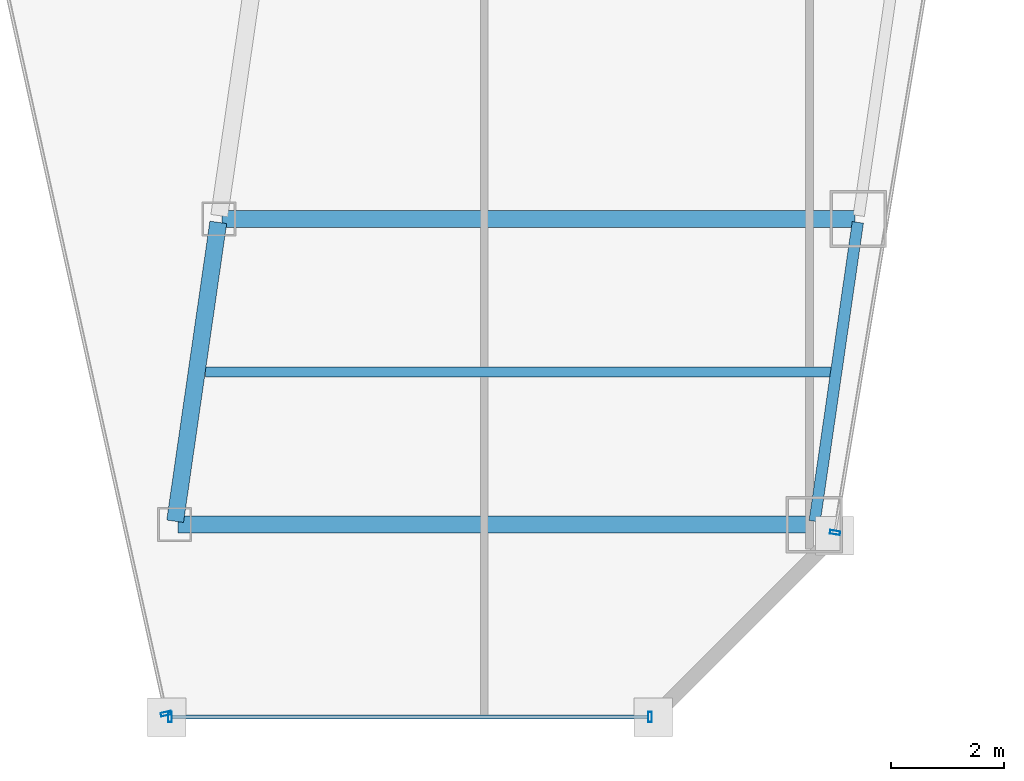
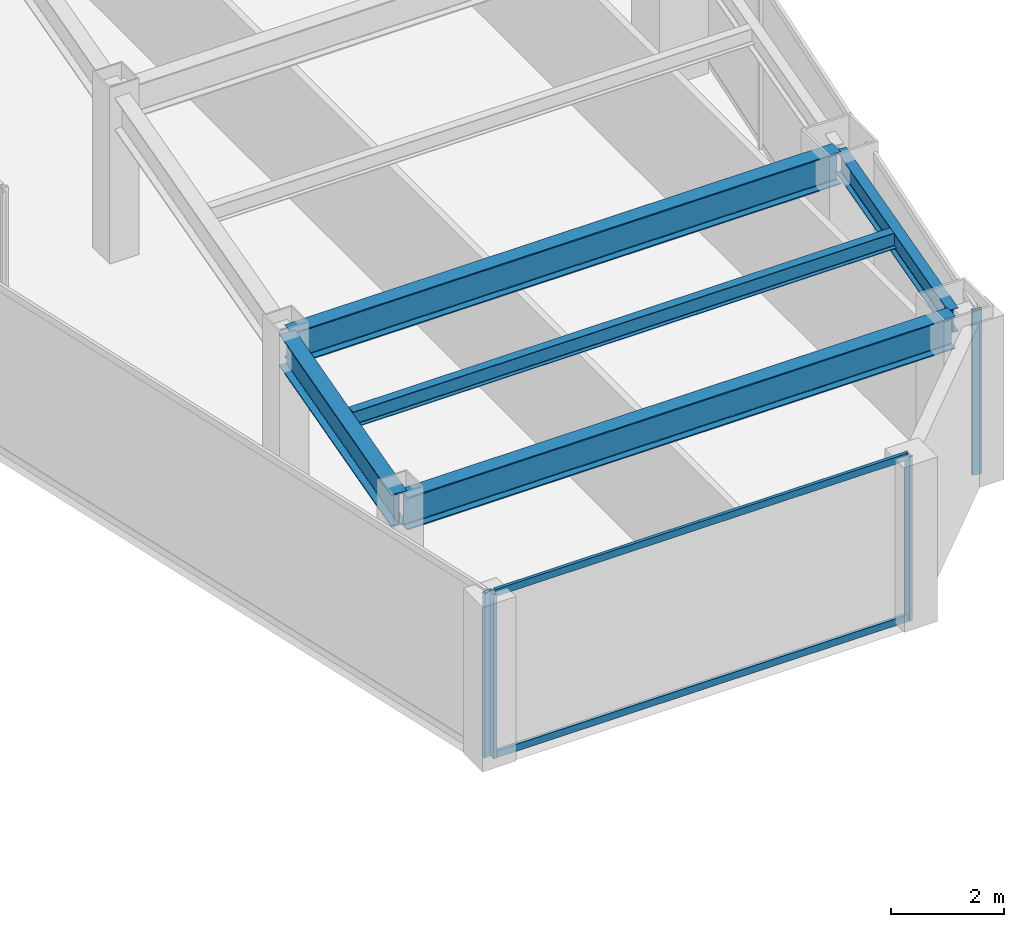
# One storey, part 14 of 36: 6 members, 5 beams, 3 elements without a shape of their own.
"""IFC4 building model written with IfcOpenShell, lengths in metres."""

from ifc_helpers import new_model, si_unit, direction, frame, origin, origin_2d, place, context, subcontext, project, spatial, hollow_rectangle, i_section, extrude, material, material_profile, profile_set, type_object, element, aggregate, save


model = new_model("IFC4")

# Units and contexts
model_context = context("Model", 3, precision=1e-05, world=origin(), true_north=direction((0.0, 1.0)))
body_context = subcontext(model_context, "Body", "Model", "MODEL_VIEW")
ifc_project = project(units=[si_unit("LENGTHUNIT", "METRE"), si_unit("AREAUNIT", "SQUARE_METRE"), si_unit("VOLUMEUNIT", "CUBIC_METRE"), si_unit("PLANEANGLEUNIT", "RADIAN"), si_unit("MASSUNIT", "GRAM", prefix="KILO")], contexts=[model_context])

# Site, building, storey
site_placement = place(None, origin())
site = spatial("IfcSite", under=ifc_project, at=site_placement, CompositionType="ELEMENT")
building_placement = place(site_placement, origin())
building = spatial("IfcBuilding", under=site, at=building_placement, Name="Saevonmaru Cultural Tower", CompositionType="ELEMENT")
storey_placement = place(building_placement, frame((0.0, 0.0, 152.39990234375)))
storey = spatial("IfcBuildingStorey", under=building, at=storey_placement, Name="L33", CompositionType="ELEMENT", Elevation=152.39990234375)

# Beams
ifc_material_1 = material(Name="Steel SM355", Category="steel")
ifc_material_profile_1 = material_profile(ifc_material_1, i_section(OverallWidth=0.300048828125, OverallDepth=0.699951171875, WebThickness=0.012939453125, FlangeThickness=0.02392578125, FilletRadius=0.02587890625, at=origin_2d()), Name="H-700x300x13x24")
ifc_profile_set_1 = profile_set([ifc_material_profile_1], Name="Steel SM355")
beam_type_1 = type_object("IfcBeamType", Name="BM-G-H700", PredefinedType="BEAM", material=ifc_profile_set_1)
beam_1_placement = place(storey_placement, frame((37.300537109375, 10.659423828125, 3.2001953125), z_axis=(0.142977693794, 0.989725911087, 0.0), x_axis=(-0.989725911087, 0.142977693794, 0.0)))
element("IfcBeam", 1, at=beam_1_placement, inside=storey, type_object=beam_type_1, Name="L33 East Atrium Girder 1", PredefinedType="BEAM", context=body_context, shape_type="SweptSolid", body=[
    extrude(i_section(OverallWidth=0.300048828125, OverallDepth=0.699951171875, WebThickness=0.012939453125, FlangeThickness=0.02392578125, FilletRadius=0.02587890625, at=origin_2d()), origin(), (0.0, 0.0, 1.0), 5.336181640625),
])
for number, where, z_axis, x_axis, name in (
    (2, (37.35205078125, 10.60009765625, 3.2001953125), (1.0, 0.0, 0.0), (0.0, 1.0, 0.0), "L33 East Wing Transverse Girder 1"),
    (3, (38.132080078125, 16.0, 3.2001953125), (1.0, 0.0, 0.0), (0.0, 1.0, 0.0), "L33 East Wing Transverse Girder 2"),
):
    element("IfcBeam", number, at=place(storey_placement, frame(where, z_axis=z_axis, x_axis=x_axis)), inside=storey, type_object=beam_type_1, Name=name, PredefinedType="BEAM", context=body_context, shape_type="SweptSolid", body=[
        extrude(i_section(OverallWidth=0.300048828125, OverallDepth=0.699951171875, WebThickness=0.012939453125, FlangeThickness=0.02392578125, FilletRadius=0.02587890625, at=origin_2d()), origin(), (0.0, 0.0, 1.0), 11.179931640625),
    ])
ifc_material_profile_2 = material_profile(ifc_material_1, i_section(OverallWidth=0.175048828125, OverallDepth=0.35009765625, WebThickness=0.007080078125, FlangeThickness=0.010986328125, FilletRadius=0.012939453125, at=origin_2d()), Name="H-350x175x7x11")
ifc_profile_set_2 = profile_set([ifc_material_profile_2], Name="Steel SM355")
beam_type_2 = type_object("IfcBeamType", Name="BM-J-H350", PredefinedType="JOIST", material=ifc_profile_set_2)
beam_2_placement = place(storey_placement, frame((37.840087890625, 13.300048828125, 3.375), z_axis=(1.0, 0.0, 0.0), x_axis=(0.0, 1.0, 0.0)))
element("IfcBeam", 4, at=beam_2_placement, inside=storey, type_object=beam_type_2, Name="L33 East Wing Floor Joist 1", PredefinedType="JOIST", context=body_context, shape_type="SweptSolid", body=[
    extrude(i_section(OverallWidth=0.175048828125, OverallDepth=0.35009765625, WebThickness=0.007080078125, FlangeThickness=0.010986328125, FilletRadius=0.012939453125, at=origin_2d()), origin(), (0.0, 0.0, 1.0), 11.08203125),
])
ifc_material_profile_3 = material_profile(ifc_material_1, i_section(OverallWidth=0.199951171875, OverallDepth=0.5, WebThickness=0.010009765625, FlangeThickness=0.01611328125, FilletRadius=0.02001953125, at=origin_2d()), Name="H-500x200x10x16")
ifc_profile_set_3 = profile_set([ifc_material_profile_3], Name="Steel SM355")
beam_type_3 = type_object("IfcBeamType", Name="BM-SP-H500", PredefinedType="SPANDREL", material=ifc_profile_set_3)
beam_3_placement = place(storey_placement, frame((48.6005859375, 10.659423828125, 3.300048828125), z_axis=(0.1429328758, 0.989732384544, 0.0), x_axis=(-0.989732384544, 0.1429328758, 0.0)))
element("IfcBeam", 5, at=beam_3_placement, inside=storey, type_object=beam_type_3, Name="L33 East Splayed Spandrel 1", PredefinedType="SPANDREL", context=body_context, shape_type="SweptSolid", body=[
    extrude(i_section(OverallWidth=0.199951171875, OverallDepth=0.5, WebThickness=0.010009765625, FlangeThickness=0.01611328125, FilletRadius=0.02001953125, at=origin_2d()), origin(), (0.0, 0.0, 1.0), 5.3359375),
])

# Curtain wall, member
ifc_material_2 = material(Name="Satin Bronze Anodised Aluminium", Category="aluminium")
curtain_wall_type = type_object("IfcCurtainWallType", Name="CW-TYP-A", PredefinedType="NOTDEFINED", material=ifc_material_2)
curtain_wall_1_placement = place(storey_placement, origin())
curtain_wall_1 = element("IfcCurtainWall", 6, at=curtain_wall_1_placement, inside=storey, type_object=curtain_wall_type, Name="L33 Unitised Curtain Wall E5", PredefinedType="NOTDEFINED")
ifc_material_profile_4 = material_profile(ifc_material_2, hollow_rectangle(XDim=0.06494140625, YDim=0.179931640625, WallThickness=0.00390625, at=origin_2d()), Name="ALU-MULL-180x65x4")
ifc_profile_set_4 = profile_set([ifc_material_profile_4], Name="Satin Bronze Anodised Aluminium")
member_type_1 = type_object("IfcMemberType", Name="ML-CW-180x65", PredefinedType="MULLION", material=ifc_profile_set_4)
member_1_placement = place(storey_placement, frame((37.13818359375, 7.258544921875, 0.0), z_axis=(0.0, 0.0, 1.0), x_axis=(0.215413319953, -0.976522965212, 0.0)))
member_1 = element("IfcMember", 7, at=member_1_placement, type_object=member_type_1, Name="CW-TW-L33-E5 mullion 2", PredefinedType="MULLION", context=body_context, shape_type="SweptSolid", body=[
    extrude(hollow_rectangle(XDim=0.06494140625, YDim=0.179931640625, WallThickness=0.00390625, at=origin_2d()), origin(), (0.0, 0.0, 1.0), 3.550048828125),
])
aggregate(curtain_wall_1, [member_1])

# Curtain wall, members
curtain_wall_2_placement = place(storey_placement, origin())
curtain_wall_2 = element("IfcCurtainWall", 8, at=curtain_wall_2_placement, inside=storey, type_object=curtain_wall_type, Name="L33 Unitised Curtain Wall E6", PredefinedType="NOTDEFINED")
member_2_placement = place(storey_placement, frame((37.211181640625, 7.199951171875, 0.0), z_axis=(0.0, 0.0, 1.0), x_axis=(1.0, 0.0, 0.0)))
member_2 = element("IfcMember", 9, at=member_2_placement, type_object=member_type_1, Name="CW-TW-L33-E6 mullion 1", PredefinedType="MULLION", context=body_context, shape_type="SweptSolid", body=[
    extrude(hollow_rectangle(XDim=0.06494140625, YDim=0.179931640625, WallThickness=0.00390625, at=origin_2d()), origin(), (0.0, 0.0, 1.0), 3.550048828125),
])
member_3_placement = place(storey_placement, frame((45.691162109375, 7.199951171875, 0.0), z_axis=(0.0, 0.0, 1.0), x_axis=(1.0, 0.0, 0.0)))
member_3 = element("IfcMember", 10, at=member_3_placement, type_object=member_type_1, Name="CW-TW-L33-E6 mullion 2", PredefinedType="MULLION", context=body_context, shape_type="SweptSolid", body=[
    extrude(hollow_rectangle(XDim=0.06494140625, YDim=0.179931640625, WallThickness=0.00390625, at=origin_2d()), origin(), (0.0, 0.0, 1.0), 3.550048828125),
])

# Curtain wall, member
curtain_wall_3_placement = place(storey_placement, origin())
curtain_wall_3 = element("IfcCurtainWall", 11, at=curtain_wall_3_placement, inside=storey, type_object=curtain_wall_type, Name="L33 Unitised Curtain Wall E8", PredefinedType="NOTDEFINED")
member_4_placement = place(storey_placement, frame((48.9609375, 10.459228515625, 0.0), z_axis=(0.0, 0.0, 1.0), x_axis=(0.163998702345, 0.986460554523, 0.0)))
member_4 = element("IfcMember", 12, at=member_4_placement, type_object=member_type_1, Name="CW-TW-L33-E8 mullion 1", PredefinedType="MULLION", context=body_context, shape_type="SweptSolid", body=[
    extrude(hollow_rectangle(XDim=0.06494140625, YDim=0.179931640625, WallThickness=0.00390625, at=origin_2d()), origin(), (0.0, 0.0, 1.0), 3.550048828125),
])
aggregate(curtain_wall_3, [member_4])

# Member
ifc_material_profile_5 = material_profile(ifc_material_2, hollow_rectangle(XDim=0.06494140625, YDim=0.14990234375, WallThickness=0.00390625, at=origin_2d()), Name="ALU-TRAN-150x65x4")
ifc_profile_set_5 = profile_set([ifc_material_profile_5], Name="Satin Bronze Anodised Aluminium")
member_type_2 = type_object("IfcMemberType", Name="TR-CW-150x65", PredefinedType="USERDEFINED", material=ifc_profile_set_5)
member_5_placement = place(storey_placement, frame((37.24365234375, 7.199951171875, 0.03271484375), z_axis=(1.0, 0.0, 0.0), x_axis=(0.0, 1.0, 0.0)))
member_5 = element("IfcMember", 13, at=member_5_placement, type_object=member_type_2, Name="CW-TW-L33-E6 transom 1.1", ObjectType="TRANSOM", PredefinedType="USERDEFINED", context=body_context, shape_type="SweptSolid", body=[
    extrude(hollow_rectangle(XDim=0.06494140625, YDim=0.14990234375, WallThickness=0.00390625, at=origin_2d()), origin(), (0.0, 0.0, 1.0), 8.4150390625),
])

member_6_placement = place(storey_placement, frame((37.24365234375, 7.199951171875, 3.517578125), z_axis=(1.0, 0.0, 0.0), x_axis=(0.0, 1.0, 0.0)))
member_6 = element("IfcMember", 14, at=member_6_placement, type_object=member_type_2, Name="CW-TW-L33-E6 transom 1.2", ObjectType="TRANSOM", PredefinedType="USERDEFINED", context=body_context, shape_type="SweptSolid", body=[
    extrude(hollow_rectangle(XDim=0.06494140625, YDim=0.14990234375, WallThickness=0.00390625, at=origin_2d()), origin(), (0.0, 0.0, 1.0), 8.4150390625),
])

aggregate(curtain_wall_2, [member_2, member_3, member_5, member_6])

save(model, "model.ifc")
